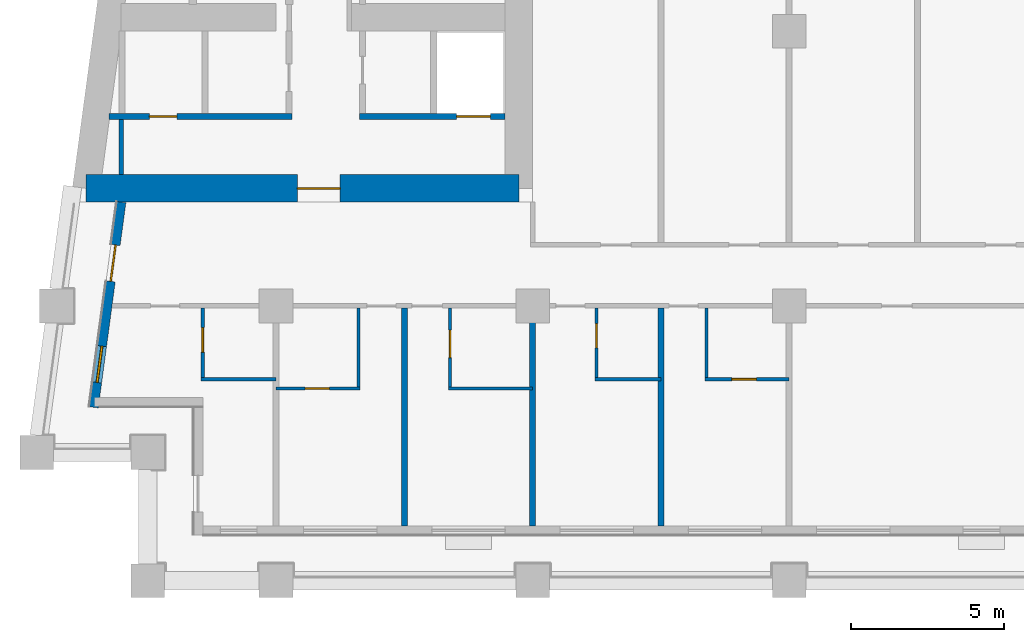
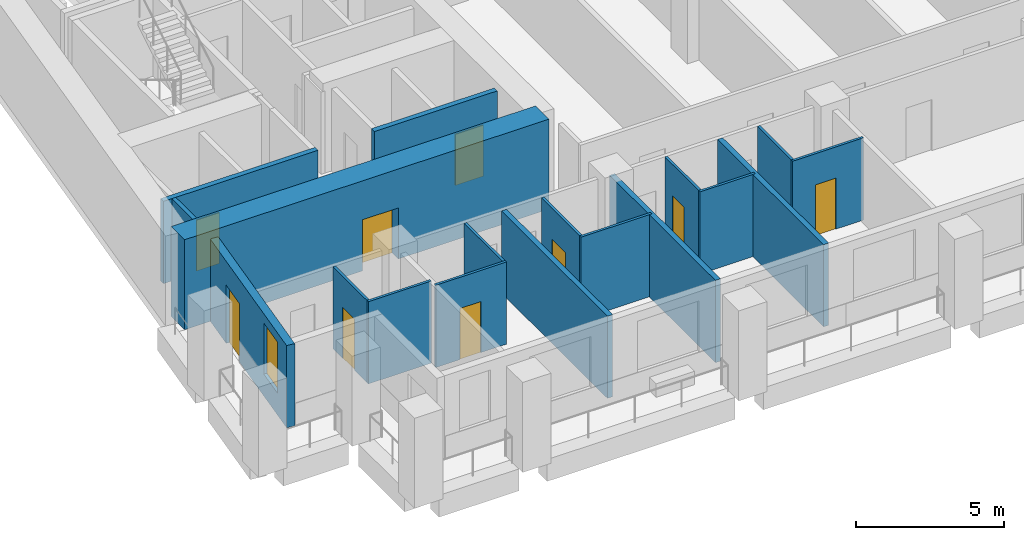
# One storey, part 2 of 14: 18 walls, 9 doors, 1 window, 10 openings.
"""IFC4 building model written with IfcOpenShell, lengths in metres."""

from ifc_helpers import new_model, si_unit, direction, frame, frame_2d, origin, place, context, subcontext, project, spatial, rectangle, extrude, material, layer, layer_set, type_object, element, fill, save


model = new_model("IFC4")

# Units and contexts
model_context = context("Model", 3, precision=1e-05, world=origin(), true_north=direction((0.0, 1.0)))
body_context = subcontext(model_context, "Body", "Model", "MODEL_VIEW")
ifc_project = project(units=[si_unit("LENGTHUNIT", "METRE"), si_unit("AREAUNIT", "SQUARE_METRE"), si_unit("VOLUMEUNIT", "CUBIC_METRE"), si_unit("PLANEANGLEUNIT", "RADIAN"), si_unit("MASSUNIT", "GRAM", prefix="KILO")], contexts=[model_context])

# Site, building, storey
site_placement = place(None, origin())
site = spatial("IfcSite", under=ifc_project, at=site_placement, CompositionType="ELEMENT")
building_placement = place(site_placement, origin())
building = spatial("IfcBuilding", under=site, at=building_placement, Name="Candeia Pilgrim Tower and Theatre", CompositionType="ELEMENT")
storey_placement = place(building_placement, frame((0.0, 0.0, 173.699951171875)))
storey = spatial("IfcBuildingStorey", under=building, at=storey_placement, Name="L41", CompositionType="ELEMENT", Elevation=173.699951171875)

# Wall, opening, door
ifc_material_1 = material(Name="Concrete C60/75", Category="concrete")
ifc_layer_1 = layer(ifc_material_1, 0.89990234375)
ifc_layer_set_1 = layer_set([ifc_layer_1], Name="Core wall 900 C60/75")
wall_type_1 = type_object("IfcWallType", Name="Core wall 900 C60/75", PredefinedType="SHEAR", material=ifc_layer_set_1)
wall_1_placement = place(storey_placement, frame((100.35009765625, 110.85009765625, 0.0), z_axis=(0.0, 0.0, 1.0), x_axis=(-1.0, 0.0, 0.0)))
wall_1 = element("IfcWall", 1, at=wall_1_placement, inside=storey, type_object=wall_type_1, Name="Core wall W3", PredefinedType="SHEAR", context=body_context, shape_type="SweptSolid", body=[
    extrude(rectangle(XDim=14.166259765625, YDim=0.89990234375, at=frame_2d((7.0830078125, 0.0))), origin(), (0.0, 0.0, 1.0), 3.699951171875),
])
opening_1_placement = place(wall_1_placement, frame((5.854736328125, 0.0, 0.0)))
opening_1 = element("IfcOpeningElement", 2, at=opening_1_placement, cuts=wall_1, Name="Opening L41-D064", PredefinedType="OPENING", context=body_context, shape_type="SweptSolid", body=[
    extrude(rectangle(XDim=1.39990234375, YDim=2.10009765625, at=frame_2d((0.699951171875, 1.050048828125))), frame((0.0, 0.4599609375, 0.0), z_axis=(0.0, -1.0, 0.0), x_axis=(1.0, 0.0, 0.0)), (0.0, 0.0, 1.0), 0.919921875),
])
ifc_material_2 = material(Name="Steel fire door set", Category="steel")
door_type_1 = type_object("IfcDoorType", Name="D-1400-FD60", OperationType="NOTDEFINED", PredefinedType="DOOR", material=ifc_material_2)
door_1_placement = place(opening_1_placement, origin())
door_1 = element("IfcDoor", 3, at=door_1_placement, inside=storey, type_object=door_type_1, Name="Door L41-D064", OperationType="SINGLE_SWING_LEFT", OverallHeight=2.10009765625, OverallWidth=1.39990234375, PredefinedType="DOOR", context=body_context, shape_type="SweptSolid", body=[
    extrude(rectangle(XDim=1.39990234375, YDim=2.10009765625, at=frame_2d((0.699951171875, 1.050048828125))), frame((0.0, 0.02490234375, 0.0), z_axis=(0.0, -1.0, 0.0), x_axis=(1.0, 0.0, 0.0)), (0.0, 0.0, 1.0), 0.050048828125),
])
fill(opening_1, door_1)

# Wall, openings, door, window
ifc_material_3 = material(Name="Ceramic block masonry", Category="masonry")
ifc_layer_2 = layer(ifc_material_3, 0.300048828125)
ifc_layer_set_2 = layer_set([ifc_layer_2], Name="EW1 glazing-line wall 300")
wall_type_2 = type_object("IfcWallType", Name="EW1 glazing-line wall 300", PredefinedType="SOLIDWALL", material=ifc_layer_set_2)
wall_2_placement = place(storey_placement, frame((87.334228515625, 110.39990234375, 0.0), z_axis=(0.0, 0.0, 1.0), x_axis=(-0.133437175554, -0.991057273915, 0.0)))
wall_2 = element("IfcWall", 4, at=wall_2_placement, inside=storey, type_object=wall_type_2, Name="External wall L41-9.1", PredefinedType="SOLIDWALL", context=body_context, shape_type="SweptSolid", body=[
    extrude(rectangle(XDim=6.780517578125, YDim=0.300048828125, at=frame_2d((3.39013671875, 0.0))), origin(), (0.0, 0.0, 1.0), 3.380126953125),
])
opening_2_placement = place(wall_2_placement, frame((1.41796875, 0.0, 0.0)))
opening_2 = element("IfcOpeningElement", 5, at=opening_2_placement, cuts=wall_2, Name="Opening L41-ED400", PredefinedType="OPENING", context=body_context, shape_type="SweptSolid", body=[
    extrude(rectangle(XDim=1.199951171875, YDim=2.39990234375, at=frame_2d((0.60009765625, 1.199951171875))), frame((0.0, 0.16015625, 0.0), z_axis=(0.0, -1.0, 0.0), x_axis=(1.0, 0.0, 0.0)), (0.0, 0.0, 1.0), 0.320068359375),
])
opening_3_placement = place(wall_2_placement, frame((4.75830078125, 0.0, 0.89990234375)))
opening_3 = element("IfcOpeningElement", 6, at=opening_3_placement, cuts=wall_2, Name="Opening W-B", PredefinedType="OPENING", context=body_context, shape_type="SweptSolid", body=[
    extrude(rectangle(XDim=1.199951171875, YDim=2.10009765625, at=frame_2d((0.60009765625, 1.050048828125))), frame((0.0, 0.16015625, 0.0), z_axis=(0.0, -1.0, 0.0), x_axis=(1.0, 0.0, 0.0)), (0.0, 0.0, 1.0), 0.320068359375),
])
ifc_material_4 = material(Name="Aluminium framed glazed door", Category="aluminium")
door_type_2 = type_object("IfcDoorType", Name="Loggia door 1200x2400", OperationType="DOUBLE_DOOR_SINGLE_SWING", PredefinedType="DOOR", material=ifc_material_4)
door_2_placement = place(opening_2_placement, origin())
door_2 = element("IfcDoor", 7, at=door_2_placement, inside=storey, type_object=door_type_2, Name="Loggia door L41-ED400", OperationType="DOUBLE_DOOR_SINGLE_SWING", OverallHeight=2.39990234375, OverallWidth=1.199951171875, PredefinedType="DOOR", context=body_context, shape_type="SweptSolid", body=[
    extrude(rectangle(XDim=1.199951171875, YDim=2.39990234375, at=frame_2d((0.60009765625, 1.199951171875))), frame((0.0, 0.02490234375, 0.0), z_axis=(0.0, -1.0, 0.0), x_axis=(1.0, 0.0, 0.0)), (0.0, 0.0, 1.0), 0.050048828125),
])
fill(opening_2, door_2)
ifc_material_5 = material(Name="Aluminium framed double glazing", Category="aluminium")
window_type = type_object("IfcWindowType", Name="W-B window 1200x2100", PartitioningType="SINGLE_PANEL", PredefinedType="WINDOW", material=ifc_material_5)
window_placement = place(opening_3_placement, origin())
window = element("IfcWindow", 8, at=window_placement, inside=storey, type_object=window_type, Name="Window W-B L41", OverallHeight=2.10009765625, OverallWidth=1.199951171875, PartitioningType="SINGLE_PANEL", PredefinedType="WINDOW", context=body_context, shape_type="SweptSolid", body=[
    extrude(rectangle(XDim=1.199951171875, YDim=2.10009765625, at=frame_2d((0.60009765625, 1.050048828125))), frame((0.0, 0.030029296875, 0.0), z_axis=(0.0, -1.0, 0.0), x_axis=(1.0, 0.0, 0.0)), (0.0, 0.0, 1.0), 0.06005859375),
])
fill(opening_3, window)

# Wall, opening, door
ifc_material_6 = material(Name="Gypsum board partition on steel studs", Category="steel")
ifc_layer_3 = layer(ifc_material_6, 0.10009765625)
ifc_layer_set_3 = layer_set([ifc_layer_3], Name="PW-100 room partition")
wall_type_3 = type_object("IfcWallType", Name="PW-100 room partition", PredefinedType="PARTITIONING", material=ifc_layer_set_3)
wall_3_placement = place(storey_placement, frame((92.39990234375, 104.300048828125, 0.0), z_axis=(0.0, 0.0, 1.0), x_axis=(1.0, 0.0, 0.0)))
wall_3 = element("IfcWall", 9, at=wall_3_placement, inside=storey, type_object=wall_type_3, Name="Room partition L41-001", PredefinedType="PARTITIONING", context=body_context, shape_type="SweptSolid", body=[
    extrude(rectangle(XDim=2.75, YDim=0.10009765625, at=frame_2d((1.375, 0.0))), origin(), (0.0, 0.0, 1.0), 3.380126953125),
])
opening_4_placement = place(wall_3_placement, frame((0.949951171875, 0.0, 0.0)))
opening_4 = element("IfcOpeningElement", 10, at=opening_4_placement, cuts=wall_3, Name="Opening L41-D020", PredefinedType="OPENING", context=body_context, shape_type="SweptSolid", body=[
    extrude(rectangle(XDim=0.800048828125, YDim=2.10009765625, at=frame_2d((0.39990234375, 1.050048828125))), frame((0.0, 0.06005859375, 0.0), z_axis=(0.0, -1.0, 0.0), x_axis=(1.0, 0.0, 0.0)), (0.0, 0.0, 1.0), 0.1201171875),
])
ifc_material_7 = material(Name="Timber door leaf", Category="wood")
door_type_3 = type_object("IfcDoorType", Name="D-800", OperationType="NOTDEFINED", PredefinedType="DOOR", material=ifc_material_7)
door_3_placement = place(opening_4_placement, origin())
door_3 = element("IfcDoor", 11, at=door_3_placement, inside=storey, type_object=door_type_3, Name="Door L41-D020", OperationType="SINGLE_SWING_LEFT", OverallHeight=2.10009765625, OverallWidth=0.800048828125, PredefinedType="DOOR", context=body_context, shape_type="SweptSolid", body=[
    extrude(rectangle(XDim=0.800048828125, YDim=2.10009765625, at=frame_2d((0.39990234375, 1.050048828125))), frame((0.0, 0.02490234375, 0.0), z_axis=(0.0, -1.0, 0.0), x_axis=(1.0, 0.0, 0.0)), (0.0, 0.0, 1.0), 0.050048828125),
])
fill(opening_4, door_3)

# Walls
wall_4_placement = place(storey_placement, frame((98.050048828125, 104.300048828125, 0.0), z_axis=(0.0, 0.0, 1.0), x_axis=(1.0, 0.0, 0.0)))
element("IfcWall", 12, at=wall_4_placement, inside=storey, type_object=wall_type_3, Name="Room partition L41-002", PredefinedType="PARTITIONING", context=body_context, shape_type="SweptSolid", body=[
    extrude(rectangle(XDim=2.75, YDim=0.10009765625, at=frame_2d((1.375, 0.0))), origin(), (0.0, 0.0, 1.0), 3.380126953125),
])
wall_5_placement = place(storey_placement, frame((89.949951171875, 104.60009765625, 0.0), z_axis=(0.0, 0.0, 1.0), x_axis=(1.0, 0.0, 0.0)))
element("IfcWall", 13, at=wall_5_placement, inside=storey, type_object=wall_type_3, Name="Room partition L41-007", PredefinedType="PARTITIONING", context=body_context, shape_type="SweptSolid", body=[
    extrude(rectangle(XDim=2.449951171875, YDim=0.10009765625, at=frame_2d((1.22509765625, 0.0))), origin(), (0.0, 0.0, 1.0), 3.380126953125),
])
wall_6_placement = place(storey_placement, frame((102.85009765625, 104.60009765625, 0.0), z_axis=(0.0, 0.0, 1.0), x_axis=(1.0, 0.0, 0.0)))
element("IfcWall", 14, at=wall_6_placement, inside=storey, type_object=wall_type_3, Name="Room partition L41-008", PredefinedType="PARTITIONING", context=body_context, shape_type="SweptSolid", body=[
    extrude(rectangle(XDim=2.14990234375, YDim=0.10009765625, at=frame_2d((1.074951171875, 0.0))), origin(), (0.0, 0.0, 1.0), 3.380126953125),
])

# Wall, opening, door
wall_7_placement = place(storey_placement, frame((106.449951171875, 104.60009765625, 0.0), z_axis=(0.0, 0.0, 1.0), x_axis=(1.0, 0.0, 0.0)))
wall_7 = element("IfcWall", 15, at=wall_7_placement, inside=storey, type_object=wall_type_3, Name="Room partition L41-009", PredefinedType="PARTITIONING", context=body_context, shape_type="SweptSolid", body=[
    extrude(rectangle(XDim=2.75, YDim=0.10009765625, at=frame_2d((1.375, 0.0))), origin(), (0.0, 0.0, 1.0), 3.380126953125),
])
opening_5_placement = place(wall_7_placement, frame((0.8798828125, 0.0, 0.0)))
opening_5 = element("IfcOpeningElement", 16, at=opening_5_placement, cuts=wall_7, Name="Opening L41-D026", PredefinedType="OPENING", context=body_context, shape_type="SweptSolid", body=[
    extrude(rectangle(XDim=0.800048828125, YDim=2.10009765625, at=frame_2d((0.39990234375, 1.050048828125))), frame((0.0, 0.06005859375, 0.0), z_axis=(0.0, -1.0, 0.0), x_axis=(1.0, 0.0, 0.0)), (0.0, 0.0, 1.0), 0.1201171875),
])
door_4_placement = place(opening_5_placement, origin())
door_4 = element("IfcDoor", 17, at=door_4_placement, inside=storey, type_object=door_type_3, Name="Door L41-D026", OperationType="SINGLE_SWING_LEFT", OverallHeight=2.10009765625, OverallWidth=0.800048828125, PredefinedType="DOOR", context=body_context, shape_type="SweptSolid", body=[
    extrude(rectangle(XDim=0.800048828125, YDim=2.10009765625, at=frame_2d((0.39990234375, 1.050048828125))), frame((0.0, 0.02490234375, 0.0), z_axis=(0.0, -1.0, 0.0), x_axis=(1.0, 0.0, 0.0)), (0.0, 0.0, 1.0), 0.050048828125),
])
fill(opening_5, door_4)

wall_8_placement = place(storey_placement, frame((90.0, 104.64990234375, 0.0), z_axis=(0.0, 0.0, 1.0), x_axis=(0.0, 1.0, 0.0)))
wall_8 = element("IfcWall", 18, at=wall_8_placement, inside=storey, type_object=wall_type_3, Name="Room partition L41-056", PredefinedType="PARTITIONING", context=body_context, shape_type="SweptSolid", body=[
    extrude(rectangle(XDim=2.275146484375, YDim=0.10009765625, at=frame_2d((1.1376953125, 0.0))), origin(), (0.0, 0.0, 1.0), 3.380126953125),
])
opening_6_placement = place(wall_8_placement, frame((0.840087890625, 0.0, 0.0)))
opening_6 = element("IfcOpeningElement", 19, at=opening_6_placement, cuts=wall_8, Name="Opening L41-D018", PredefinedType="OPENING", context=body_context, shape_type="SweptSolid", body=[
    extrude(rectangle(XDim=0.800048828125, YDim=2.10009765625, at=frame_2d((0.39990234375, 1.050048828125))), frame((0.0, 0.06005859375, 0.0), z_axis=(0.0, -1.0, 0.0), x_axis=(1.0, 0.0, 0.0)), (0.0, 0.0, 1.0), 0.1201171875),
])
door_5_placement = place(opening_6_placement, origin())
door_5 = element("IfcDoor", 20, at=door_5_placement, inside=storey, type_object=door_type_3, Name="Door L41-D018", OperationType="SINGLE_SWING_LEFT", OverallHeight=2.10009765625, OverallWidth=0.800048828125, PredefinedType="DOOR", context=body_context, shape_type="SweptSolid", body=[
    extrude(rectangle(XDim=0.800048828125, YDim=2.10009765625, at=frame_2d((0.39990234375, 1.050048828125))), frame((0.0, 0.02490234375, 0.0), z_axis=(0.0, -1.0, 0.0), x_axis=(1.0, 0.0, 0.0)), (0.0, 0.0, 1.0), 0.050048828125),
])
fill(opening_6, door_5)

# Wall
wall_9_placement = place(storey_placement, frame((95.10009765625, 104.35009765625, 0.0), z_axis=(0.0, 0.0, 1.0), x_axis=(0.0, 1.0, 0.0)))
element("IfcWall", 21, at=wall_9_placement, inside=storey, type_object=wall_type_3, Name="Room partition L41-066", PredefinedType="PARTITIONING", context=body_context, shape_type="SweptSolid", body=[
    extrude(rectangle(XDim=2.574951171875, YDim=0.10009765625, at=frame_2d((1.28759765625, 0.0))), origin(), (0.0, 0.0, 1.0), 3.380126953125),
])

# Wall, opening, door
wall_10_placement = place(storey_placement, frame((98.10009765625, 104.35009765625, 0.0), z_axis=(0.0, 0.0, 1.0), x_axis=(0.0, 1.0, 0.0)))
wall_10 = element("IfcWall", 22, at=wall_10_placement, inside=storey, type_object=wall_type_3, Name="Room partition L41-075", PredefinedType="PARTITIONING", context=body_context, shape_type="SweptSolid", body=[
    extrude(rectangle(XDim=2.574951171875, YDim=0.10009765625, at=frame_2d((1.28759765625, 0.0))), origin(), (0.0, 0.0, 1.0), 3.380126953125),
])
opening_7_placement = place(wall_10_placement, frame((0.9599609375, 0.0, 0.0)))
opening_7 = element("IfcOpeningElement", 23, at=opening_7_placement, cuts=wall_10, Name="Opening L41-D022", PredefinedType="OPENING", context=body_context, shape_type="SweptSolid", body=[
    extrude(rectangle(XDim=0.89990234375, YDim=2.10009765625, at=frame_2d((0.449951171875, 1.050048828125))), frame((0.0, 0.06005859375, 0.0), z_axis=(0.0, -1.0, 0.0), x_axis=(1.0, 0.0, 0.0)), (0.0, 0.0, 1.0), 0.1201171875),
])
door_type_4 = type_object("IfcDoorType", Name="D-900", OperationType="NOTDEFINED", PredefinedType="DOOR", material=ifc_material_7)
door_6_placement = place(opening_7_placement, origin())
door_6 = element("IfcDoor", 24, at=door_6_placement, inside=storey, type_object=door_type_4, Name="Door L41-D022", OperationType="SINGLE_SWING_LEFT", OverallHeight=2.10009765625, OverallWidth=0.89990234375, PredefinedType="DOOR", context=body_context, shape_type="SweptSolid", body=[
    extrude(rectangle(XDim=0.89990234375, YDim=2.10009765625, at=frame_2d((0.449951171875, 1.050048828125))), frame((0.0, 0.02490234375, 0.0), z_axis=(0.0, -1.0, 0.0), x_axis=(1.0, 0.0, 0.0)), (0.0, 0.0, 1.0), 0.050048828125),
])
fill(opening_7, door_6)

wall_11_placement = place(storey_placement, frame((102.89990234375, 104.64990234375, 0.0), z_axis=(0.0, 0.0, 1.0), x_axis=(0.0, 1.0, 0.0)))
wall_11 = element("IfcWall", 25, at=wall_11_placement, inside=storey, type_object=wall_type_3, Name="Room partition L41-080", PredefinedType="PARTITIONING", context=body_context, shape_type="SweptSolid", body=[
    extrude(rectangle(XDim=2.275146484375, YDim=0.10009765625, at=frame_2d((1.1376953125, 0.0))), origin(), (0.0, 0.0, 1.0), 3.380126953125),
])
opening_8_placement = place(wall_11_placement, frame((0.97509765625, 0.0, 0.0)))
opening_8 = element("IfcOpeningElement", 26, at=opening_8_placement, cuts=wall_11, Name="Opening L41-D024", PredefinedType="OPENING", context=body_context, shape_type="SweptSolid", body=[
    extrude(rectangle(XDim=0.800048828125, YDim=2.10009765625, at=frame_2d((0.39990234375, 1.050048828125))), frame((0.0, 0.06005859375, 0.0), z_axis=(0.0, -1.0, 0.0), x_axis=(1.0, 0.0, 0.0)), (0.0, 0.0, 1.0), 0.1201171875),
])
door_7_placement = place(opening_8_placement, origin())
door_7 = element("IfcDoor", 27, at=door_7_placement, inside=storey, type_object=door_type_3, Name="Door L41-D024", OperationType="SINGLE_SWING_LEFT", OverallHeight=2.10009765625, OverallWidth=0.800048828125, PredefinedType="DOOR", context=body_context, shape_type="SweptSolid", body=[
    extrude(rectangle(XDim=0.800048828125, YDim=2.10009765625, at=frame_2d((0.39990234375, 1.050048828125))), frame((0.0, 0.02490234375, 0.0), z_axis=(0.0, -1.0, 0.0), x_axis=(1.0, 0.0, 0.0)), (0.0, 0.0, 1.0), 0.050048828125),
])
fill(opening_8, door_7)

# Walls
wall_12_placement = place(storey_placement, frame((106.5, 104.64990234375, 0.0), z_axis=(0.0, 0.0, 1.0), x_axis=(0.0, 1.0, 0.0)))
element("IfcWall", 28, at=wall_12_placement, inside=storey, type_object=wall_type_3, Name="Room partition L41-084", PredefinedType="PARTITIONING", context=body_context, shape_type="SweptSolid", body=[
    extrude(rectangle(XDim=2.275146484375, YDim=0.10009765625, at=frame_2d((1.1376953125, 0.0))), origin(), (0.0, 0.0, 1.0), 3.380126953125),
])
ifc_layer_4 = layer(ifc_material_6, 0.14990234375)
ifc_layer_set_4 = layer_set([ifc_layer_4], Name="PW-150 lobby wall")
wall_type_4 = type_object("IfcWallType", Name="PW-150 lobby wall", PredefinedType="PARTITIONING", material=ifc_layer_set_4)
wall_13_placement = place(storey_placement, frame((87.327880859375, 111.300048828125, 0.0), z_axis=(0.0, 0.0, 1.0), x_axis=(0.0, 1.0, 0.0)))
element("IfcWall", 29, at=wall_13_placement, inside=storey, type_object=wall_type_4, Name="Lobby wall L41-053", PredefinedType="PARTITIONING", context=body_context, shape_type="SweptSolid", body=[
    extrude(rectangle(XDim=1.800048828125, YDim=0.14990234375, at=frame_2d((0.89990234375, 0.0))), origin(), (0.0, 0.0, 1.0), 3.380126953125),
])
ifc_layer_5 = layer(ifc_material_6, 0.199951171875)
ifc_layer_set_5 = layer_set([ifc_layer_5], Name="PW-200 party wall")
wall_type_5 = type_object("IfcWallType", Name="PW-200 party wall", PredefinedType="PARTITIONING", material=ifc_layer_set_5)
for number, where, z_axis, x_axis, name in (
    (30, (96.60009765625, 99.7900390625, 0.0), (0.0, 0.0, 1.0), (0.0, 1.0, 0.0), "Party wall L41-070"),
    (31, (100.800048828125, 99.7900390625, 0.0), (0.0, 0.0, 1.0), (0.0, 1.0, 0.0), "Party wall L41-076"),
    (32, (105.0, 99.7900390625, 0.0), (0.0, 0.0, 1.0), (0.0, 1.0, 0.0), "Party wall L41-081"),
):
    element("IfcWall", number, at=place(storey_placement, frame(where, z_axis=z_axis, x_axis=x_axis)), inside=storey, type_object=wall_type_5, Name=name, PredefinedType="PARTITIONING", context=body_context, shape_type="SweptSolid", body=[
        extrude(rectangle(XDim=7.135009765625, YDim=0.199951171875, at=frame_2d((3.5673828125, 0.0))), origin(), (0.0, 0.0, 1.0), 3.380126953125),
    ])

# Wall, opening, door
ifc_material_8 = material(Name="Concrete C40/50", Category="concrete")
ifc_layer_6 = layer(ifc_material_8, 0.199951171875)
ifc_layer_set_6 = layer_set([ifc_layer_6], Name="SW-200 shaft wall")
wall_type_6 = type_object("IfcWallType", Name="SW-200 shaft wall", PredefinedType="PARTITIONING", material=ifc_layer_set_6)
wall_14_placement = place(storey_placement, frame((86.92431640625, 113.199951171875, 0.0), z_axis=(0.0, 0.0, 1.0), x_axis=(1.0, 0.0, 0.0)))
wall_14 = element("IfcWall", 33, at=wall_14_placement, inside=storey, type_object=wall_type_6, Name="Shaft wall L41-013", PredefinedType="PARTITIONING", context=body_context, shape_type="SweptSolid", body=[
    extrude(rectangle(XDim=6.002685546875, YDim=0.199951171875, at=frame_2d((3.00146484375, 0.0))), origin(), (0.0, 0.0, 1.0), 3.380126953125),
])
opening_9_placement = place(wall_14_placement, frame((1.32861328125, 0.0, 0.0)))
opening_9 = element("IfcOpeningElement", 34, at=opening_9_placement, cuts=wall_14, Name="Opening L41-D007", PredefinedType="OPENING", context=body_context, shape_type="SweptSolid", body=[
    extrude(rectangle(XDim=0.89990234375, YDim=2.10009765625, at=frame_2d((0.449951171875, 1.050048828125))), frame((0.0, 0.10986328125, 0.0), z_axis=(0.0, -1.0, 0.0), x_axis=(1.0, 0.0, 0.0)), (0.0, 0.0, 1.0), 0.219970703125),
])
door_type_5 = type_object("IfcDoorType", Name="D-900-FD60", OperationType="NOTDEFINED", PredefinedType="DOOR", material=ifc_material_2)
door_8_placement = place(opening_9_placement, origin())
door_8 = element("IfcDoor", 35, at=door_8_placement, inside=storey, type_object=door_type_5, Name="Door L41-D007", OperationType="SINGLE_SWING_LEFT", OverallHeight=2.10009765625, OverallWidth=0.89990234375, PredefinedType="DOOR", context=body_context, shape_type="SweptSolid", body=[
    extrude(rectangle(XDim=0.89990234375, YDim=2.10009765625, at=frame_2d((0.449951171875, 1.050048828125))), frame((0.0, 0.02490234375, 0.0), z_axis=(0.0, -1.0, 0.0), x_axis=(1.0, 0.0, 0.0)), (0.0, 0.0, 1.0), 0.050048828125),
])
fill(opening_9, door_8)

wall_15_placement = place(storey_placement, frame((95.126953125, 113.199951171875, 0.0), z_axis=(0.0, 0.0, 1.0), x_axis=(1.0, 0.0, 0.0)))
wall_15 = element("IfcWall", 36, at=wall_15_placement, inside=storey, type_object=wall_type_6, Name="Shaft wall L41-014", PredefinedType="PARTITIONING", context=body_context, shape_type="SweptSolid", body=[
    extrude(rectangle(XDim=4.77294921875, YDim=0.199951171875, at=frame_2d((2.386474609375, 0.0))), origin(), (0.0, 0.0, 1.0), 3.380126953125),
])
opening_10_placement = place(wall_15_placement, frame((3.18896484375, 0.0, 0.0)))
opening_10 = element("IfcOpeningElement", 37, at=opening_10_placement, cuts=wall_15, Name="Opening L41-LD03", PredefinedType="OPENING", context=body_context, shape_type="SweptSolid", body=[
    extrude(rectangle(XDim=1.10009765625, YDim=2.10009765625, at=frame_2d((0.550048828125, 1.050048828125))), frame((0.0, 0.10986328125, 0.0), z_axis=(0.0, -1.0, 0.0), x_axis=(1.0, 0.0, 0.0)), (0.0, 0.0, 1.0), 0.219970703125),
])
ifc_material_9 = material(Name="Glazed aluminium landing door", Category="aluminium")
door_type_6 = type_object("IfcDoorType", Name="LD-1100-EI120", OperationType="SLIDING_TO_LEFT", PredefinedType="DOOR", material=ifc_material_9)
door_9_placement = place(opening_10_placement, origin())
door_9 = element("IfcDoor", 38, at=door_9_placement, inside=storey, type_object=door_type_6, Name="Landing door 03 L41", OperationType="SLIDING_TO_LEFT", OverallHeight=2.10009765625, OverallWidth=1.10009765625, PredefinedType="DOOR", context=body_context, shape_type="SweptSolid", body=[
    extrude(rectangle(XDim=1.10009765625, YDim=2.10009765625, at=frame_2d((0.550048828125, 1.050048828125))), frame((0.0, 0.02490234375, 0.0), z_axis=(0.0, -1.0, 0.0), x_axis=(1.0, 0.0, 0.0)), (0.0, 0.0, 1.0), 0.050048828125),
])
fill(opening_10, door_9)

save(model, "model.ifc")
